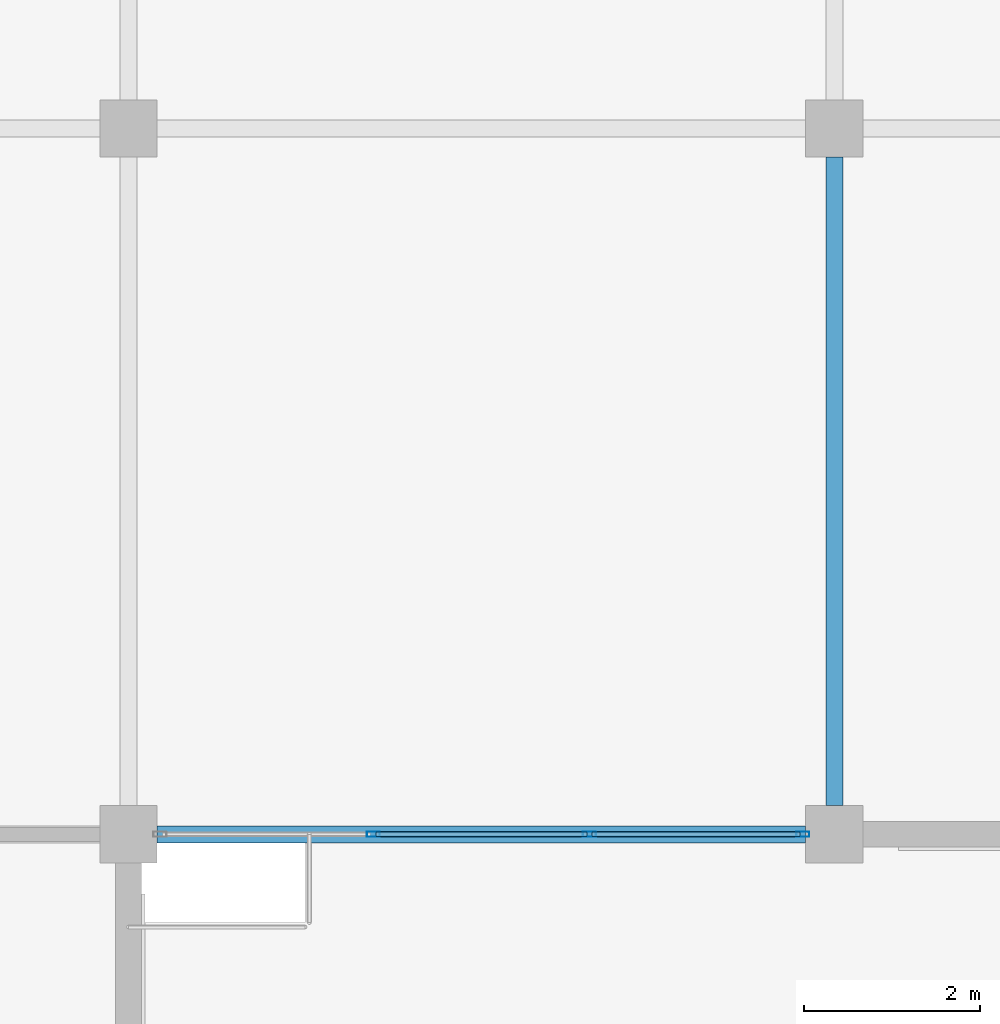
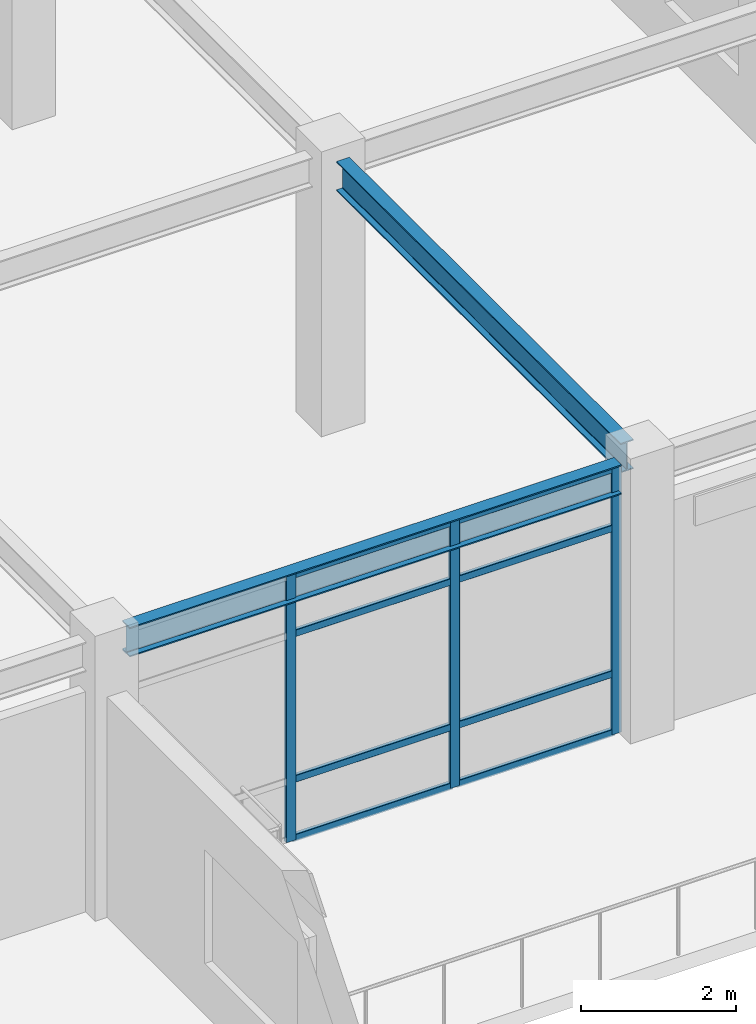
# One storey, part 53 of 78: 11 members, 2 beams, 1 element without a shape of its own.
"""IFC4 building model written with IfcOpenShell, lengths in metres."""

import ifcopenshell
import ifcopenshell.guid

model = None  # the IFC model being written
_history = None  # IfcOwnerHistory: only IFC2X3 demands one
_inside = {}  # id of a spatial element -> (the spatial element, [elements in it])
_under = {}  # id of a project, library or spatial element -> (it, [spatial elements below it])
_declared = {}  # id of a project -> (the project, [libraries it declares])
_typed = {}  # id of a type object -> (the type object, [elements of that type])
_made_of = {}  # id of a material, layer set ... -> (it, [elements and type objects made of it])


def new_model(schema):
    """Start an empty IFC model of exactly this schema.

    Asked for "IFC4X3", IfcOpenShell would pick the latest addendum, in which some entities
    have other attributes; the version numbers below select the first issue.
    IFC2X3 requires an IfcOwnerHistory on every rooted entity: one is made here for all.
    """
    global model, _history
    if schema == "IFC4X3":
        model = ifcopenshell.file(schema_version=(4, 3, 0, 0))
    else:
        model = ifcopenshell.file(schema=schema)
    _inside.clear()
    _under.clear()
    _declared.clear()
    _typed.clear()
    _made_of.clear()
    _history = None
    if model.schema == "IFC2X3":
        org = make("IfcOrganization", Name="unknown")
        user = make(
            "IfcPersonAndOrganization",
            ThePerson=make("IfcPerson", FamilyName="unknown"),
            TheOrganization=org,
        )
        app = make(
            "IfcApplication",
            ApplicationDeveloper=org,
            Version="unknown",
            ApplicationFullName="unknown",
            ApplicationIdentifier="unknown",
        )
        _history = make(
            "IfcOwnerHistory",
            OwningUser=user,
            OwningApplication=app,
            ChangeAction="ADDED",
            CreationDate=0,
        )
    return model


def make(cls, **values):
    """One entity of the class cls with the attributes given. An attribute that is None is left unset."""
    return model.create_entity(
        cls, **{name: value for name, value in values.items() if value is not None}
    )


def rooted(cls, **values):
    """An entity with a GlobalId (a new one), such as an element, a storey or a relation."""
    return make(cls, GlobalId=ifcopenshell.guid.new(), OwnerHistory=_history, **values)


def si_unit(unit_type, name, prefix=None):
    """IfcSIUnit, for example si_unit("LENGTHUNIT", "METRE", prefix="MILLI")."""
    return make("IfcSIUnit", UnitType=unit_type, Prefix=prefix, Name=name)


def assignment(units):
    """IfcUnitAssignment: the units of a project."""
    return None if units is None else make("IfcUnitAssignment", Units=units)


def point(xyz):
    """IfcCartesianPoint."""
    return None if xyz is None else make("IfcCartesianPoint", Coordinates=xyz)


def direction(xyz):
    """IfcDirection."""
    return None if xyz is None else make("IfcDirection", DirectionRatios=xyz)


def frame(location, z_axis=None, x_axis=None):
    """IfcAxis2Placement3D, a coordinate frame: its origin and axes. An axis left out is left unset."""
    return make(
        "IfcAxis2Placement3D",
        Location=point(location),
        Axis=direction(z_axis),
        RefDirection=direction(x_axis),
    )


def frame_2d(location, x_axis=None):
    """IfcAxis2Placement2D, a coordinate frame in the plane: its origin and x axis."""
    return make(
        "IfcAxis2Placement2D", Location=point(location), RefDirection=direction(x_axis)
    )


def origin():
    """The frame at (0, 0, 0) with its axes left unset."""
    return frame((0.0, 0.0, 0.0))


def origin_2d():
    """The frame at (0, 0) in the plane with its x axis left unset."""
    return frame_2d((0.0, 0.0))


def place(relative_to, where):
    """IfcLocalPlacement: puts the frame where relative to a parent placement (None: the world)."""
    return make(
        "IfcLocalPlacement", PlacementRelTo=relative_to, RelativePlacement=where
    )


def context(
    kind, dimensions, precision=None, world=None, true_north=None, identifier=None
):
    """IfcGeometricRepresentationContext, for example the 3D "Model" context."""
    return make(
        "IfcGeometricRepresentationContext",
        ContextIdentifier=identifier,
        ContextType=kind,
        CoordinateSpaceDimension=dimensions,
        Precision=precision,
        WorldCoordinateSystem=world,
        TrueNorth=true_north,
    )


def subcontext(parent, identifier, kind, view, scale=None):
    """IfcGeometricRepresentationSubContext, for example "Body" below "Model"."""
    return make(
        "IfcGeometricRepresentationSubContext",
        ContextIdentifier=identifier,
        ContextType=kind,
        ParentContext=parent,
        TargetScale=scale,
        TargetView=view,
    )


def project(units=None, contexts=None):
    """IfcProject with its units and contexts."""
    return rooted(
        "IfcProject",
        Name="project",
        RepresentationContexts=contexts,
        UnitsInContext=assignment(units),
    )


def spatial(cls, under=None, at=None, **own):
    """A site, building, storey or space (cls), placed at a placement, below another one or the project."""
    s = rooted(cls, ObjectPlacement=at, **own)
    if under is not None:
        _under.setdefault(under.id(), (under, []))[1].append(s)
    return s


def profile(cls, at=None, kind="AREA", **sizes):
    """A parametric profile (cls). Its sizes go by their IFC names, for example OverallWidth=200.0."""
    return make(cls, ProfileType=kind, Position=at, **sizes)


def hollow_rectangle(**sizes):
    """IfcRectangleHollowProfileDef."""
    return profile("IfcRectangleHollowProfileDef", **sizes)


def i_section(**sizes):
    """IfcIShapeProfileDef."""
    return profile("IfcIShapeProfileDef", **sizes)


def extrude(swept, where, along, depth):
    """IfcExtrudedAreaSolid: the profile swept, set in the frame where, extruded along a direction by depth."""
    return make(
        "IfcExtrudedAreaSolid",
        SweptArea=swept,
        Position=where,
        ExtrudedDirection=direction(along),
        Depth=depth,
    )


def shape(context_of_items, identifier, shape_type, items):
    """IfcShapeRepresentation: the items that make up one representation, for example the "Body"."""
    return make(
        "IfcShapeRepresentation",
        ContextOfItems=context_of_items,
        RepresentationIdentifier=identifier,
        RepresentationType=shape_type,
        Items=items,
    )


def material(Name=None, Category=None):
    """IfcMaterial."""
    return make("IfcMaterial", Name=Name, Category=Category)


def material_profile(
    of_material, cross_section, Name=None, Category=None, Priority=None
):
    """IfcMaterialProfile: a cross section and its material."""
    return make(
        "IfcMaterialProfile",
        Name=Name,
        Material=of_material,
        Profile=cross_section,
        Priority=Priority,
        Category=Category,
    )


def profile_set(profiles, Name=None, composite=None):
    """IfcMaterialProfileSet."""
    return make(
        "IfcMaterialProfileSet",
        Name=Name,
        MaterialProfiles=profiles,
        CompositeProfile=composite,
    )


def made_of(thing, what):
    """Note that an element or type object is made of a material, layer set ...; save() writes the relation."""
    if what is not None:
        _made_of.setdefault(what.id(), (what, []))[1].append(thing)
    return thing


def type_object(cls, material=None, **own):
    """A type object (cls), such as IfcWallType, which elements share."""
    return made_of(rooted(cls, **own), material)


def element(
    cls,
    number,
    at=None,
    inside=None,
    cuts=None,
    type_object=None,
    material=None,
    context=None,
    identifier="Body",
    shape_type=None,
    held_by="IfcProductDefinitionShape",
    body=None,
    shapes=None,
    **own,
):
    """One element of the class cls, such as IfcWall. Its Tag is "e" and its number.

    at: its placement. inside: the storey or other place that contains it. cuts: it is an
    opening in that element (IfcRelVoidsElement). A single representation is given by context,
    identifier, shape_type and body (its items); several are given by shapes. held_by: the class
    of the entity that holds the representations. save() writes the other relations.
    """
    e = rooted(cls, Tag="e%d" % number, ObjectPlacement=at, **own)
    if body is not None:
        shapes = [shape(context, identifier, shape_type, body)]
    if shapes is not None:
        e.Representation = make(held_by, Representations=shapes)
    if inside is not None:
        _inside.setdefault(inside.id(), (inside, []))[1].append(e)
    if cuts is not None:
        rooted(
            "IfcRelVoidsElement", RelatingBuildingElement=cuts, RelatedOpeningElement=e
        )
    if type_object is not None:
        _typed.setdefault(type_object.id(), (type_object, []))[1].append(e)
    return made_of(e, material)


def aggregate(whole, parts):
    """IfcRelAggregates: a whole, such as a stair, and the parts it consists of."""
    return rooted("IfcRelAggregates", RelatingObject=whole, RelatedObjects=parts)


def save(model, path):
    """Write the relations noted so far, then the file.

    IfcRelAggregates (storeys below a building ...), IfcRelContainedInSpatialStructure (elements
    in a storey), IfcRelDefinesByType, IfcRelAssociatesMaterial and IfcRelDeclares: one each for
    every whole, place, type object, material and project.
    """
    for whole, parts in _under.values():
        aggregate(whole, parts)
    for where, things in _inside.values():
        rooted(
            "IfcRelContainedInSpatialStructure",
            RelatedElements=things,
            RelatingStructure=where,
        )
    for kind, things in _typed.values():
        rooted("IfcRelDefinesByType", RelatedObjects=things, RelatingType=kind)
    for what, things in _made_of.values():
        rooted("IfcRelAssociatesMaterial", RelatedObjects=things, RelatingMaterial=what)
    for by, libraries in _declared.values():
        rooted("IfcRelDeclares", RelatingContext=by, RelatedDefinitions=libraries)
    model.write(path)


model = new_model("IFC4")

# Units and contexts
model_context = context("Model", 3, precision=1e-05, world=origin(), true_north=direction((0.0, 1.0)))
body_context = subcontext(model_context, "Body", "Model", "MODEL_VIEW")
ifc_project = project(units=[si_unit("LENGTHUNIT", "METRE"), si_unit("AREAUNIT", "SQUARE_METRE"), si_unit("VOLUMEUNIT", "CUBIC_METRE"), si_unit("PLANEANGLEUNIT", "RADIAN"), si_unit("MASSUNIT", "GRAM", prefix="KILO")], contexts=[model_context])

# Site, building, storey
site_placement = place(None, origin())
site = spatial("IfcSite", under=ifc_project, at=site_placement, CompositionType="ELEMENT")
building_placement = place(site_placement, origin())
building = spatial("IfcBuilding", under=site, at=building_placement, Name="Solmirada Galleria", CompositionType="ELEMENT")
storey_placement = place(building_placement, frame((0.0, 0.0, 23.89990234375)))
storey = spatial("IfcBuildingStorey", under=building, at=storey_placement, Name="L05", CompositionType="ELEMENT", Elevation=23.89990234375)

# Beams
ifc_material_1 = material(Name="Steel S355 / ASTM A992 Grade 50", Category="steel")
ifc_material_profile_1 = material_profile(ifc_material_1, i_section(OverallWidth=0.193115234375, OverallDepth=0.466064453125, WebThickness=0.011474609375, FlangeThickness=0.01904296875, FilletRadius=0.013916015625, at=origin_2d()), Name="W18X65")
ifc_profile_set_1 = profile_set([ifc_material_profile_1], Name="Steel S355 / ASTM A992 Grade 50")
beam_type = type_object("IfcBeamType", Name="BM-GIRD-W18C", PredefinedType="BEAM", material=ifc_profile_set_1)
for number, where, z_axis, x_axis, name in (
    (1, (96.324951171875, 96.0, 4.0400390625), (1.0, 0.0, 0.0), (0.0, 1.0, 0.0), "North roof girder X=96..104"),
    (2, (104.0, 96.324951171875, 4.0400390625), (0.0, 1.0, 0.0), (-1.0, 0.0, 0.0), "North roof girder Y=96..104"),
):
    element("IfcBeam", number, at=place(storey_placement, frame(where, z_axis=z_axis, x_axis=x_axis)), inside=storey, type_object=beam_type, Name=name, PredefinedType="BEAM", context=body_context, shape_type="SweptSolid", body=[
        extrude(i_section(OverallWidth=0.193115234375, OverallDepth=0.466064453125, WebThickness=0.011474609375, FlangeThickness=0.01904296875, FilletRadius=0.013916015625, at=origin_2d()), origin(), (0.0, 0.0, 1.0), 7.35009765625),
    ])

# Curtain wall, members
ifc_material_2 = material(Name="Impact-resistant low-E double glazing", Category="glass")
curtain_wall_type = type_object("IfcCurtainWallType", Name="CW-FZ4-L05-B3-L074", PredefinedType="NOTDEFINED", material=ifc_material_2)
curtain_wall_placement = place(storey_placement, origin())
curtain_wall = element("IfcCurtainWall", 3, at=curtain_wall_placement, inside=storey, type_object=curtain_wall_type, Name="Terrace and arcade storefront CW-L05-173", PredefinedType="NOTDEFINED")
ifc_material_3 = material(Name="Anodised aluminium framing", Category="aluminium")
ifc_material_profile_2 = material_profile(ifc_material_3, hollow_rectangle(XDim=0.06005859375, YDim=0.14990234375, WallThickness=0.00341796875, InnerFilletRadius=0.00341796875, OuterFilletRadius=0.007080078125, at=origin_2d()), Name="ALU-MULL-150X60")
ifc_profile_set_2 = profile_set([ifc_material_profile_2], Name="Anodised aluminium framing")
member_type_1 = type_object("IfcMemberType", Name="CW-MULL-150", PredefinedType="MULLION", material=ifc_profile_set_2)
member_1_placement = place(storey_placement, frame((103.64306640625, 96.0, 0.0), z_axis=(0.0, 0.0, 1.0), x_axis=(0.0, -1.0, 0.0)))
member_1 = element("IfcMember", 4, at=member_1_placement, type_object=member_type_1, Name="CW34 mullion 1", PredefinedType="MULLION", context=body_context, shape_type="SweptSolid", body=[
    extrude(hollow_rectangle(XDim=0.06005859375, YDim=0.14990234375, WallThickness=0.00341796875, InnerFilletRadius=0.00341796875, OuterFilletRadius=0.007080078125, at=origin_2d()), origin(), (0.0, 0.0, 1.0), 4.22021484375),
])
member_2_placement = place(storey_placement, frame((101.224365234375, 96.0, 0.0), z_axis=(0.0, 0.0, 1.0), x_axis=(0.0, -1.0, 0.0)))
member_2 = element("IfcMember", 5, at=member_2_placement, type_object=member_type_1, Name="CW34 mullion 2", PredefinedType="MULLION", context=body_context, shape_type="SweptSolid", body=[
    extrude(hollow_rectangle(XDim=0.06005859375, YDim=0.14990234375, WallThickness=0.00341796875, InnerFilletRadius=0.00341796875, OuterFilletRadius=0.007080078125, at=origin_2d()), origin(), (0.0, 0.0, 1.0), 4.22021484375),
])
member_3_placement = place(storey_placement, frame((98.775634765625, 96.0, 0.0), z_axis=(0.0, 0.0, 1.0), x_axis=(0.0, -1.0, 0.0)))
member_3 = element("IfcMember", 6, at=member_3_placement, type_object=member_type_1, Name="CW34 mullion 3", PredefinedType="MULLION", context=body_context, shape_type="SweptSolid", body=[
    extrude(hollow_rectangle(XDim=0.06005859375, YDim=0.14990234375, WallThickness=0.00341796875, InnerFilletRadius=0.00341796875, OuterFilletRadius=0.007080078125, at=origin_2d()), origin(), (0.0, 0.0, 1.0), 4.22021484375),
])
ifc_material_profile_3 = material_profile(ifc_material_3, hollow_rectangle(XDim=0.06005859375, YDim=0.110107421875, WallThickness=0.003173828125, InnerFilletRadius=0.003173828125, OuterFilletRadius=0.00634765625, at=origin_2d()), Name="ALU-TRAN-110X60")
ifc_profile_set_3 = profile_set([ifc_material_profile_3], Name="Anodised aluminium framing")
member_type_2 = type_object("IfcMemberType", Name="CW-TRAN-110", PredefinedType="USERDEFINED", material=ifc_profile_set_3)
member_4_placement = place(storey_placement, frame((103.613037109375, 96.0, 0.030029296875), z_axis=(-1.0, 0.0, 0.0), x_axis=(0.0, -1.0, 0.0)))
member_4 = element("IfcMember", 7, at=member_4_placement, type_object=member_type_2, Name="CW34 transom 1.1", ObjectType="TRANSOM", PredefinedType="USERDEFINED", context=body_context, shape_type="SweptSolid", body=[
    extrude(hollow_rectangle(XDim=0.06005859375, YDim=0.110107421875, WallThickness=0.003173828125, InnerFilletRadius=0.003173828125, OuterFilletRadius=0.00634765625, at=origin_2d()), origin(), (0.0, 0.0, 1.0), 2.358642578125),
])
member_5_placement = place(storey_placement, frame((103.613037109375, 96.0, 0.960205078125), z_axis=(-1.0, 0.0, 0.0), x_axis=(0.0, -1.0, 0.0)))
member_5 = element("IfcMember", 8, at=member_5_placement, type_object=member_type_2, Name="CW34 transom 1.2", ObjectType="TRANSOM", PredefinedType="USERDEFINED", context=body_context, shape_type="SweptSolid", body=[
    extrude(hollow_rectangle(XDim=0.06005859375, YDim=0.110107421875, WallThickness=0.003173828125, InnerFilletRadius=0.003173828125, OuterFilletRadius=0.00634765625, at=origin_2d()), origin(), (0.0, 0.0, 1.0), 2.358642578125),
])
member_6_placement = place(storey_placement, frame((103.613037109375, 96.0, 3.260009765625), z_axis=(-1.0, 0.0, 0.0), x_axis=(0.0, -1.0, 0.0)))
member_6 = element("IfcMember", 9, at=member_6_placement, type_object=member_type_2, Name="CW34 transom 1.3", ObjectType="TRANSOM", PredefinedType="USERDEFINED", context=body_context, shape_type="SweptSolid", body=[
    extrude(hollow_rectangle(XDim=0.06005859375, YDim=0.110107421875, WallThickness=0.003173828125, InnerFilletRadius=0.003173828125, OuterFilletRadius=0.00634765625, at=origin_2d()), origin(), (0.0, 0.0, 1.0), 2.358642578125),
])
member_7_placement = place(storey_placement, frame((103.613037109375, 96.0, 4.190185546875), z_axis=(-1.0, 0.0, 0.0), x_axis=(0.0, -1.0, 0.0)))
member_7 = element("IfcMember", 10, at=member_7_placement, type_object=member_type_2, Name="CW34 transom 1.4", ObjectType="TRANSOM", PredefinedType="USERDEFINED", context=body_context, shape_type="SweptSolid", body=[
    extrude(hollow_rectangle(XDim=0.06005859375, YDim=0.110107421875, WallThickness=0.003173828125, InnerFilletRadius=0.003173828125, OuterFilletRadius=0.00634765625, at=origin_2d()), origin(), (0.0, 0.0, 1.0), 2.358642578125),
])
member_8_placement = place(storey_placement, frame((101.1943359375, 96.0, 0.030029296875), z_axis=(-1.0, 0.0, 0.0), x_axis=(0.0, -1.0, 0.0)))
member_8 = element("IfcMember", 11, at=member_8_placement, type_object=member_type_2, Name="CW34 transom 2.1", ObjectType="TRANSOM", PredefinedType="USERDEFINED", context=body_context, shape_type="SweptSolid", body=[
    extrude(hollow_rectangle(XDim=0.06005859375, YDim=0.110107421875, WallThickness=0.003173828125, InnerFilletRadius=0.003173828125, OuterFilletRadius=0.00634765625, at=origin_2d()), origin(), (0.0, 0.0, 1.0), 2.388671875),
])
member_9_placement = place(storey_placement, frame((101.1943359375, 96.0, 0.960205078125), z_axis=(-1.0, 0.0, 0.0), x_axis=(0.0, -1.0, 0.0)))
member_9 = element("IfcMember", 12, at=member_9_placement, type_object=member_type_2, Name="CW34 transom 2.2", ObjectType="TRANSOM", PredefinedType="USERDEFINED", context=body_context, shape_type="SweptSolid", body=[
    extrude(hollow_rectangle(XDim=0.06005859375, YDim=0.110107421875, WallThickness=0.003173828125, InnerFilletRadius=0.003173828125, OuterFilletRadius=0.00634765625, at=origin_2d()), origin(), (0.0, 0.0, 1.0), 2.388671875),
])
member_10_placement = place(storey_placement, frame((101.1943359375, 96.0, 3.260009765625), z_axis=(-1.0, 0.0, 0.0), x_axis=(0.0, -1.0, 0.0)))
member_10 = element("IfcMember", 13, at=member_10_placement, type_object=member_type_2, Name="CW34 transom 2.3", ObjectType="TRANSOM", PredefinedType="USERDEFINED", context=body_context, shape_type="SweptSolid", body=[
    extrude(hollow_rectangle(XDim=0.06005859375, YDim=0.110107421875, WallThickness=0.003173828125, InnerFilletRadius=0.003173828125, OuterFilletRadius=0.00634765625, at=origin_2d()), origin(), (0.0, 0.0, 1.0), 2.388671875),
])
member_11_placement = place(storey_placement, frame((101.1943359375, 96.0, 4.190185546875), z_axis=(-1.0, 0.0, 0.0), x_axis=(0.0, -1.0, 0.0)))
member_11 = element("IfcMember", 14, at=member_11_placement, type_object=member_type_2, Name="CW34 transom 2.4", ObjectType="TRANSOM", PredefinedType="USERDEFINED", context=body_context, shape_type="SweptSolid", body=[
    extrude(hollow_rectangle(XDim=0.06005859375, YDim=0.110107421875, WallThickness=0.003173828125, InnerFilletRadius=0.003173828125, OuterFilletRadius=0.00634765625, at=origin_2d()), origin(), (0.0, 0.0, 1.0), 2.388671875),
])
aggregate(curtain_wall, [member_1, member_2, member_3, member_4, member_5, member_6, member_7, member_8, member_9, member_10, member_11])

save(model, "model.ifc")
